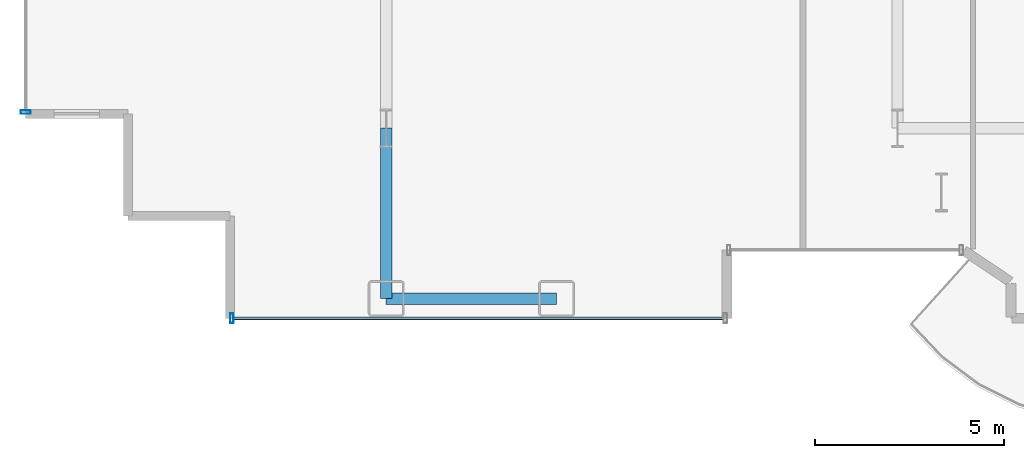
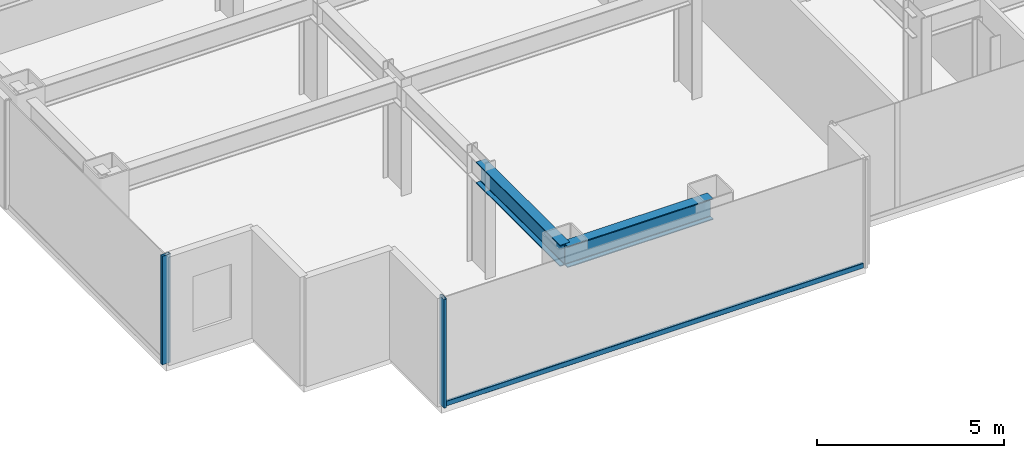
# One storey, part 2 of 28: 3 members, 2 beams, 2 elements without a shape of their own.
"""IFC4 building model written with IfcOpenShell, lengths in metres."""

from ifc_helpers import new_model, si_unit, direction, frame, origin, origin_2d, place, context, subcontext, project, spatial, hollow_rectangle, i_section, extrude, source, transform, mapped, material, layer, layer_set, material_profile, profile_set, type_object, element, aggregate, save


model = new_model("IFC4")

# Units and contexts
model_context = context("Model", 3, precision=1e-05, world=origin(), true_north=direction((0.0, 1.0)))
body_context = subcontext(model_context, "Body", "Model", "MODEL_VIEW")
ifc_project = project(units=[si_unit("LENGTHUNIT", "METRE"), si_unit("AREAUNIT", "SQUARE_METRE"), si_unit("VOLUMEUNIT", "CUBIC_METRE"), si_unit("PLANEANGLEUNIT", "RADIAN"), si_unit("MASSUNIT", "GRAM", prefix="KILO")], contexts=[model_context])

# Site, building, storey
site_placement = place(None, origin())
site = spatial("IfcSite", under=ifc_project, at=site_placement, CompositionType="ELEMENT")
building_placement = place(site_placement, origin())
building = spatial("IfcBuilding", under=site, at=building_placement, Name="Nefas-Gora Pilgrimage Tower", CompositionType="ELEMENT")
storey_placement = place(building_placement, frame((0.0, 0.0, 102.199951171875)))
storey = spatial("IfcBuildingStorey", under=building, at=storey_placement, Name="L24", CompositionType="ELEMENT", Elevation=102.199951171875)

# Beams
ifc_material_1 = material(Name="Steel S355", Category="steel")
ifc_material_profile_1 = material_profile(ifc_material_1, i_section(OverallWidth=0.300048828125, OverallDepth=0.699951171875, WebThickness=0.01708984375, FlangeThickness=0.031982421875, FilletRadius=0.027099609375, at=origin_2d()), Name="HEB 700")
ifc_profile_set_1 = profile_set([ifc_material_profile_1], Name="Steel S355")
beam_type_1 = type_object("IfcBeamType", Name="BM-SPN-HEB600", PredefinedType="SPANDREL", material=ifc_profile_set_1)
shared_shape_1 = source(origin(), body_context, "Body", "SweptSolid", [
    extrude(i_section(OverallWidth=0.300048828125, OverallDepth=0.699951171875, WebThickness=0.01708984375, FlangeThickness=0.031982421875, FilletRadius=0.027099609375, at=origin_2d()), origin(), (0.0, 0.0, 1.0), 4.5),
])
beam_1_placement = place(storey_placement, frame((-24.75, -22.5, 3.199951171875), z_axis=(1.0, 0.0, 0.0), x_axis=(0.0, 1.0, 0.0)))
element("IfcBeam", 1, at=beam_1_placement, inside=storey, type_object=beam_type_1, Name="L24 SP-01 beam", PredefinedType="SPANDREL", context=body_context, shape_type="MappedRepresentation", body=[
    mapped(shared_shape_1, transform((0.0, 0.0, 0.0), x_axis=(1.0, 0.0, 0.0), y_axis=(0.0, 1.0, 0.0), z_axis=(0.0, 0.0, 1.0), scale=1.0)),
])
ifc_material_profile_2 = material_profile(ifc_material_1, i_section(OverallWidth=0.300048828125, OverallDepth=0.699951171875, WebThickness=0.01708984375, FlangeThickness=0.031982421875, FilletRadius=0.027099609375, at=origin_2d()), Name="HEB 700")
ifc_profile_set_2 = profile_set([ifc_material_profile_2], Name="Steel S355")
beam_type_2 = type_object("IfcBeamType", Name="BM-GIR-HEB700", PredefinedType="BEAM", material=ifc_profile_set_2)
shared_shape_2 = source(origin(), body_context, "Body", "SweptSolid", [
    extrude(i_section(OverallWidth=0.300048828125, OverallDepth=0.699951171875, WebThickness=0.01708984375, FlangeThickness=0.031982421875, FilletRadius=0.027099609375, at=origin_2d()), origin(), (0.0, 0.0, 1.0), 4.5),
])
beam_2_placement = place(storey_placement, frame((-24.75, -22.5, 3.199951171875), z_axis=(0.0, 1.0, 0.0), x_axis=(-1.0, 0.0, 0.0)))
element("IfcBeam", 2, at=beam_2_placement, inside=storey, type_object=beam_type_2, Name="L24 G-02 beam", PredefinedType="BEAM", context=body_context, shape_type="MappedRepresentation", body=[
    mapped(shared_shape_2, transform((0.0, 0.0, 0.0), x_axis=(1.0, 0.0, 0.0), y_axis=(0.0, 1.0, 0.0), z_axis=(0.0, 0.0, 1.0), scale=1.0)),
])

# Curtain wall, member
ifc_material_2 = material(Name="Dark ceramic-fritted solar-control aluminium-glass curtain wall", Category="aluminium")
ifc_layer = layer(ifc_material_2, 0.219970703125)
ifc_layer_set = layer_set([ifc_layer], Name="Dark ceramic-fritted solar-control aluminium-glass curtain wall")
curtain_wall_type = type_object("IfcCurtainWallType", Name="CW-SYS-2", PredefinedType="NOTDEFINED", material=ifc_layer_set)
curtain_wall_1_placement = place(storey_placement, origin())
curtain_wall_1 = element("IfcCurtainWall", 3, at=curtain_wall_1_placement, inside=storey, type_object=curtain_wall_type, Name="L24 Unitised Curtain Wall CW2", PredefinedType="NOTDEFINED")
ifc_material_3 = material(Name="Anodised architectural aluminium", Category="aluminium")
ifc_material_profile_3 = material_profile(ifc_material_3, hollow_rectangle(XDim=0.090087890625, YDim=0.260009765625, WallThickness=0.006103515625, InnerFilletRadius=0.006103515625, OuterFilletRadius=0.011962890625, at=origin_2d()), Name="ALU MULLION 90x260")
ifc_profile_set_3 = profile_set([ifc_material_profile_3], Name="Anodised architectural aluminium")
member_type_1 = type_object("IfcMemberType", Name="CWM-MUL-2", PredefinedType="MULLION", material=ifc_profile_set_3)
shared_shape_3 = source(origin(), body_context, "Body", "SweptSolid", [
    extrude(hollow_rectangle(XDim=0.090087890625, YDim=0.260009765625, WallThickness=0.006103515625, InnerFilletRadius=0.006103515625, OuterFilletRadius=0.011962890625, at=origin_2d()), origin(), (0.0, 0.0, 1.0), 3.550048828125),
])
member_1_placement = place(storey_placement, frame((-34.27001953125, -17.574951171875, 0.0), z_axis=(0.0, 0.0, 1.0), x_axis=(0.0, -1.0, 0.0)))
member_1 = element("IfcMember", 4, at=member_1_placement, type_object=member_type_1, Name="CW2 Mullion 2", PredefinedType="MULLION", context=body_context, shape_type="MappedRepresentation", body=[
    mapped(shared_shape_3, transform((0.0, 0.0, 0.0), x_axis=(1.0, 0.0, 0.0), y_axis=(0.0, 1.0, 0.0), z_axis=(0.0, 0.0, 1.0), scale=1.0)),
])
aggregate(curtain_wall_1, [member_1])

# Curtain wall, members
curtain_wall_2_placement = place(storey_placement, origin())
curtain_wall_2 = element("IfcCurtainWall", 5, at=curtain_wall_2_placement, inside=storey, type_object=curtain_wall_type, Name="L24 Unitised Curtain Wall CW2", PredefinedType="NOTDEFINED")
member_2_placement = place(storey_placement, frame((-28.824951171875, -23.02001953125, 0.0), z_axis=(0.0, 0.0, 1.0), x_axis=(1.0, 0.0, 0.0)))
member_2 = element("IfcMember", 6, at=member_2_placement, type_object=member_type_1, Name="CW2 Mullion 1", PredefinedType="MULLION", context=body_context, shape_type="MappedRepresentation", body=[
    mapped(shared_shape_3, transform((0.0, 0.0, 0.0), x_axis=(1.0, 0.0, 0.0), y_axis=(0.0, 1.0, 0.0), z_axis=(0.0, 0.0, 1.0), scale=1.0)),
])
ifc_material_profile_4 = material_profile(ifc_material_3, hollow_rectangle(XDim=0.080078125, YDim=0.159912109375, WallThickness=0.00439453125, InnerFilletRadius=0.00439453125, OuterFilletRadius=0.009033203125, at=origin_2d()), Name="ALU TRANSOM 80x160")
ifc_profile_set_4 = profile_set([ifc_material_profile_4], Name="Anodised architectural aluminium")
member_type_2 = type_object("IfcMemberType", Name="CWM-TRN-2", PredefinedType="USERDEFINED", material=ifc_profile_set_4)
shared_shape_4 = source(origin(), body_context, "Body", "SweptSolid", [
    extrude(hollow_rectangle(XDim=0.080078125, YDim=0.159912109375, WallThickness=0.00439453125, InnerFilletRadius=0.00439453125, OuterFilletRadius=0.009033203125, at=origin_2d()), origin(), (0.0, 0.0, 1.0), 12.93994140625),
])
member_3_placement = place(storey_placement, frame((-28.780029296875, -23.02001953125, 0.050048828125), z_axis=(1.0, 0.0, 0.0), x_axis=(0.0, 1.0, 0.0)))
member_3 = element("IfcMember", 7, at=member_3_placement, type_object=member_type_2, Name="CW2 Spandrel Transom", ObjectType="TRANSOM", PredefinedType="USERDEFINED", context=body_context, shape_type="MappedRepresentation", body=[
    mapped(shared_shape_4, transform((0.0, 0.0, 0.0), x_axis=(1.0, 0.0, 0.0), y_axis=(0.0, 1.0, 0.0), z_axis=(0.0, 0.0, 1.0), scale=1.0)),
])
aggregate(curtain_wall_2, [member_2, member_3])

save(model, "model.ifc")
